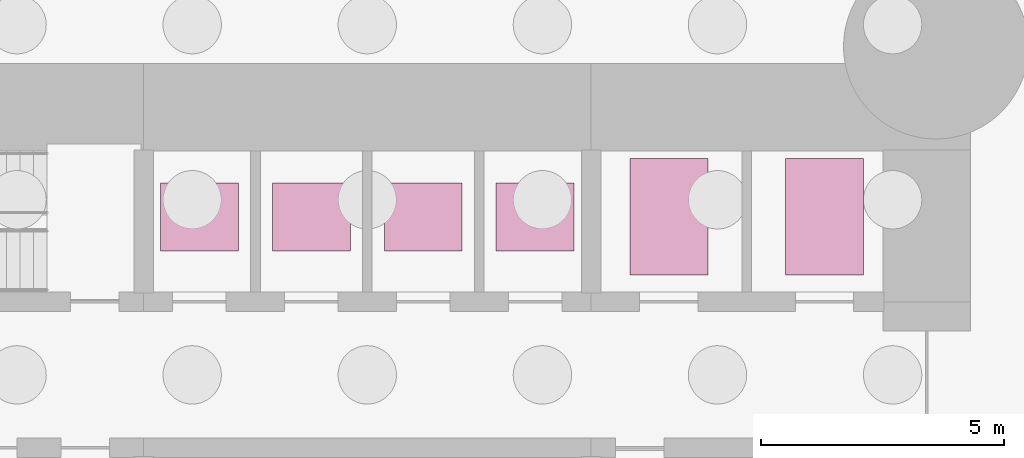
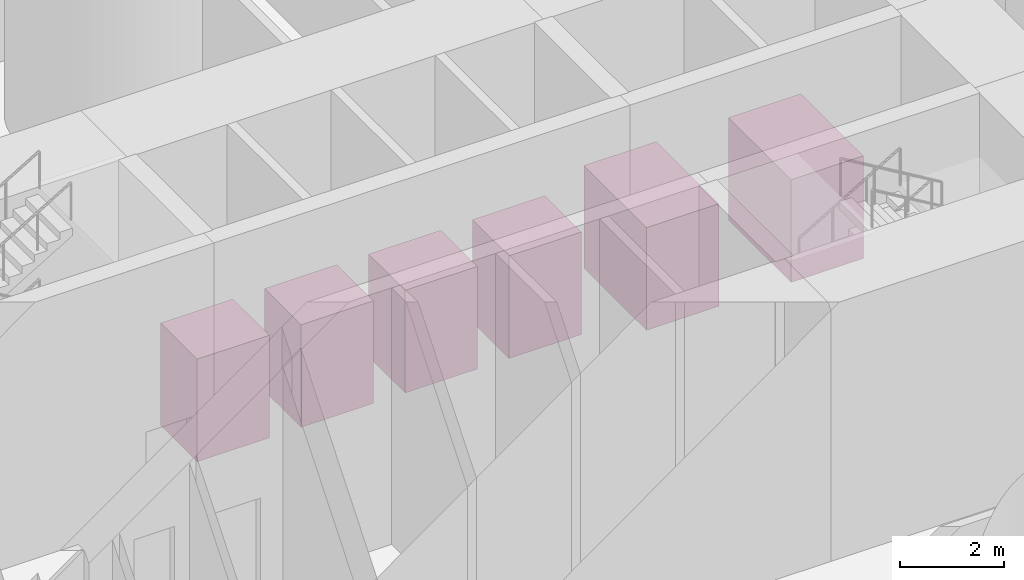
# One storey, part 10 of 10: 6 transport elements.
"""IFC4 building model written with IfcOpenShell, lengths in metres."""

from ifc_helpers import new_model, si_unit, direction, frame, origin, origin_2d, place, context, subcontext, project, spatial, rectangle, extrude, material, type_object, element, save


model = new_model("IFC4")

# Units and contexts
model_context = context("Model", 3, precision=1e-05, world=origin(), true_north=direction((0.0, 1.0)))
body_context = subcontext(model_context, "Body", "Model", "MODEL_VIEW")
ifc_project = project(units=[si_unit("LENGTHUNIT", "METRE"), si_unit("AREAUNIT", "SQUARE_METRE"), si_unit("VOLUMEUNIT", "CUBIC_METRE"), si_unit("PLANEANGLEUNIT", "RADIAN"), si_unit("MASSUNIT", "GRAM", prefix="KILO")], contexts=[model_context])

# Site, building, storey
site_placement = place(None, origin())
site = spatial("IfcSite", under=ifc_project, at=site_placement, CompositionType="ELEMENT")
building_placement = place(site_placement, origin())
building = spatial("IfcBuilding", under=site, at=building_placement, Name="Qaws Media Tower", CompositionType="ELEMENT")
storey_placement = place(building_placement, frame((0.0, 0.0, -6.0)))
storey = spatial("IfcBuildingStorey", under=building, at=storey_placement, Name="B1", CompositionType="ELEMENT", Elevation=-6.0)

# Transport elements
ifc_material_1 = material(Name="Stainless steel car", Category="steel")
transport_element_type_1 = type_object("IfcTransportElementType", Name="Fire-fighting lift car 1600x2400", PredefinedType="ELEVATOR", material=ifc_material_1)
for number, where, z_axis, x_axis, name in (
    (1, (66.199951171875, 53.25, 0.0), (0.0, 0.0, 1.0), (1.0, 0.0, 0.0), "FL1 lift car"),
    (2, (69.39990234375, 53.25, 0.0), (0.0, 0.0, 1.0), (1.0, 0.0, 0.0), "FL2 lift car"),
):
    element("IfcTransportElement", number, at=place(storey_placement, frame(where, z_axis=z_axis, x_axis=x_axis)), inside=storey, type_object=transport_element_type_1, Name=name, PredefinedType="ELEVATOR", context=body_context, shape_type="SweptSolid", body=[
        extrude(rectangle(XDim=1.60009765625, YDim=2.39990234375, at=origin_2d()), origin(), (0.0, 0.0, 1.0), 2.39990234375),
    ])
ifc_material_2 = material(Name="Stainless steel car", Category="steel")
transport_element_type_2 = type_object("IfcTransportElementType", Name="Passenger lift car 1600x1400", PredefinedType="ELEVATOR", material=ifc_material_2)
for number, where, z_axis, x_axis, name in (
    (3, (56.550048828125, 53.25, 0.0), (0.0, 0.0, 1.0), (1.0, 0.0, 0.0), "P1 lift car"),
    (4, (58.85009765625, 53.25, 0.0), (0.0, 0.0, 1.0), (1.0, 0.0, 0.0), "P2 lift car"),
    (5, (61.14990234375, 53.25, 0.0), (0.0, 0.0, 1.0), (1.0, 0.0, 0.0), "P3 lift car"),
    (6, (63.449951171875, 53.25, 0.0), (0.0, 0.0, 1.0), (1.0, 0.0, 0.0), "P4 lift car"),
):
    element("IfcTransportElement", number, at=place(storey_placement, frame(where, z_axis=z_axis, x_axis=x_axis)), inside=storey, type_object=transport_element_type_2, Name=name, PredefinedType="ELEVATOR", context=body_context, shape_type="SweptSolid", body=[
        extrude(rectangle(XDim=1.60009765625, YDim=1.39990234375, at=origin_2d()), origin(), (0.0, 0.0, 1.0), 2.39990234375),
    ])

save(model, "model.ifc")
